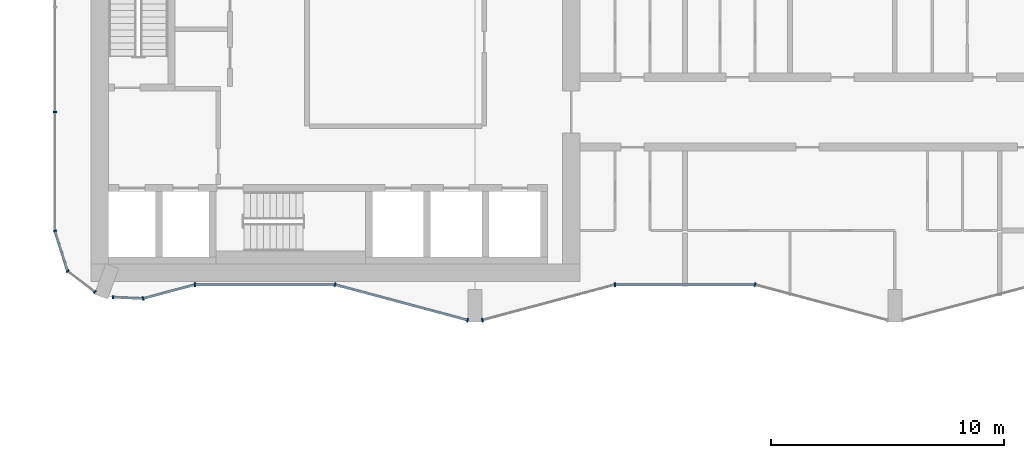
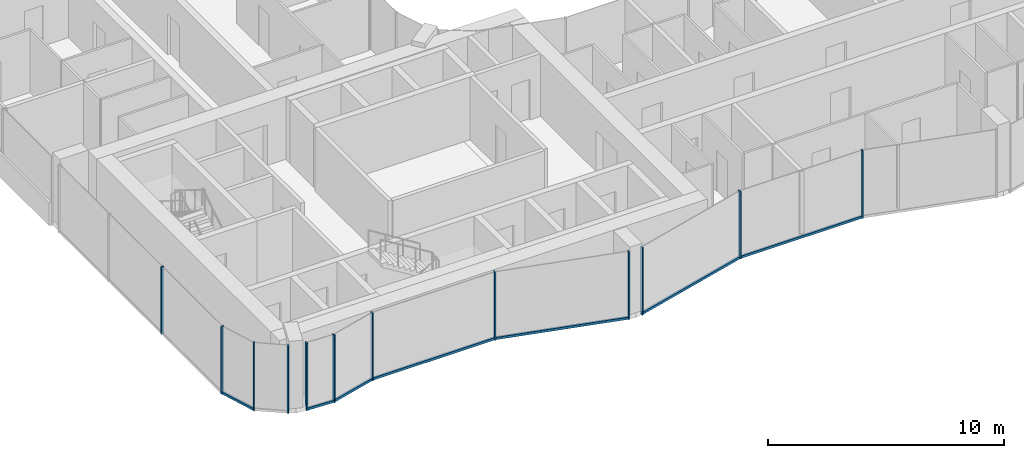
# One storey, part 2 of 23: 19 members, 10 elements without a shape of their own.
"""IFC4 building model written with IfcOpenShell, lengths in metres."""

from ifc_helpers import new_model, si_unit, direction, frame, origin, origin_2d, place, context, subcontext, project, spatial, rectangle, extrude, material, layer, layer_set, material_profile, profile_set, type_object, element, aggregate, save


model = new_model("IFC4")

# Units and contexts
model_context = context("Model", 3, precision=1e-05, world=origin(), true_north=direction((0.0, 1.0)))
body_context = subcontext(model_context, "Body", "Model", "MODEL_VIEW")
ifc_project = project(units=[si_unit("LENGTHUNIT", "METRE"), si_unit("AREAUNIT", "SQUARE_METRE"), si_unit("VOLUMEUNIT", "CUBIC_METRE"), si_unit("PLANEANGLEUNIT", "RADIAN"), si_unit("MASSUNIT", "GRAM", prefix="KILO")], contexts=[model_context])

# Site, building, storey
site_placement = place(None, origin())
site = spatial("IfcSite", under=ifc_project, at=site_placement, CompositionType="ELEMENT")
building_placement = place(site_placement, origin())
building = spatial("IfcBuilding", under=site, at=building_placement, Name="Plateau Cross Towers", CompositionType="ELEMENT")
storey_placement = place(building_placement, frame((0.0, 0.0, 40.800048828125)))
storey = spatial("IfcBuildingStorey", under=building, at=storey_placement, Name="L09", CompositionType="ELEMENT", Elevation=40.800048828125)

# Curtain wall, member
ifc_material_1 = material(Name="Dark low-iron glass", Category="glass")
ifc_layer_1 = layer(ifc_material_1, 0.239990234375)
ifc_layer_set_1 = layer_set([ifc_layer_1], Name="Dark low-iron glass")
curtain_wall_type_1 = type_object("IfcCurtainWallType", Name="Curtain wall flush unitised CW-B", PredefinedType="NOTDEFINED", material=ifc_layer_set_1)
curtain_wall_1_placement = place(storey_placement, origin())
curtain_wall_1 = element("IfcCurtainWall", 1, at=curtain_wall_1_placement, inside=storey, type_object=curtain_wall_type_1, Name="ENV/A/L09/A0_177", PredefinedType="NOTDEFINED")
ifc_material_2 = material(Name="Black anodised aluminium", Category="aluminium")
ifc_material_profile_1 = material_profile(ifc_material_2, rectangle(XDim=0.06005859375, YDim=0.139892578125, at=origin_2d()), Name="MULLION 60x140")
ifc_profile_set_1 = profile_set([ifc_material_profile_1], Name="Black anodised aluminium")
member_type_1 = type_object("IfcMemberType", Name="Mullion 60x140 flush unitised", PredefinedType="MULLION", material=ifc_profile_set_1)
member_1_placement = place(storey_placement, frame((0.0, 9.0, -0.25), z_axis=(0.0, 0.0, 1.0), x_axis=(0.0, -1.0, 0.0)))
member_1 = element("IfcMember", 2, at=member_1_placement, type_object=member_type_1, Name="CW-B mullion 3", PredefinedType="MULLION", context=body_context, shape_type="SweptSolid", body=[
    extrude(rectangle(XDim=0.06005859375, YDim=0.139892578125, at=origin_2d()), origin(), (0.0, 0.0, 1.0), 3.5),
])
aggregate(curtain_wall_1, [member_1])

curtain_wall_2_placement = place(storey_placement, origin())
curtain_wall_2 = element("IfcCurtainWall", 3, at=curtain_wall_2_placement, inside=storey, type_object=curtain_wall_type_1, Name="ENV/A/L09/A0_39", PredefinedType="NOTDEFINED")
member_2_placement = place(storey_placement, frame((0.0, 3.9091796875, -0.25), z_axis=(0.0, 0.0, 1.0), x_axis=(0.300686174994, -0.95372313811, 0.0)))
member_2 = element("IfcMember", 4, at=member_2_placement, type_object=member_type_1, Name="CW-B mullion 1", PredefinedType="MULLION", context=body_context, shape_type="SweptSolid", body=[
    extrude(rectangle(XDim=0.06005859375, YDim=0.139892578125, at=origin_2d()), origin(), (0.0, 0.0, 1.0), 3.5),
])

# Curtain wall, members
curtain_wall_3_placement = place(storey_placement, origin())
curtain_wall_3 = element("IfcCurtainWall", 5, at=curtain_wall_3_placement, inside=storey, type_object=curtain_wall_type_1, Name="ENV/A/L09/A5_22", PredefinedType="NOTDEFINED")
member_3_placement = place(storey_placement, frame((0.54248046875, 2.1884765625, -0.25), z_axis=(0.0, 0.0, 1.0), x_axis=(0.793315514529, -0.608810721331, 0.0)))
member_3 = element("IfcMember", 6, at=member_3_placement, type_object=member_type_1, Name="CW-B mullion 1", PredefinedType="MULLION", context=body_context, shape_type="SweptSolid", body=[
    extrude(rectangle(XDim=0.06005859375, YDim=0.139892578125, at=origin_2d()), origin(), (0.0, 0.0, 1.0), 3.5),
])
member_4_placement = place(storey_placement, frame((1.709716796875, 1.292724609375, -0.25), z_axis=(0.0, 0.0, 1.0), x_axis=(0.793315514529, -0.608810721331, 0.0)))
member_4 = element("IfcMember", 7, at=member_4_placement, type_object=member_type_1, Name="CW-B mullion 2", PredefinedType="MULLION", context=body_context, shape_type="SweptSolid", body=[
    extrude(rectangle(XDim=0.06005859375, YDim=0.139892578125, at=origin_2d()), origin(), (0.0, 0.0, 1.0), 3.5),
])
aggregate(curtain_wall_3, [member_3, member_4])

# Curtain wall, member
curtain_wall_4_placement = place(storey_placement, origin())
curtain_wall_4 = element("IfcCurtainWall", 8, at=curtain_wall_4_placement, inside=storey, type_object=curtain_wall_type_1, Name="ENV/A/L09/A25_11", PredefinedType="NOTDEFINED")
member_5_placement = place(storey_placement, frame((2.483642578125, 1.06787109375, -0.25), z_axis=(0.0, 0.0, 1.0), x_axis=(0.999043701491, -0.043722791671, 0.0)))
member_5 = element("IfcMember", 9, at=member_5_placement, type_object=member_type_1, Name="CW-B mullion 1", PredefinedType="MULLION", context=body_context, shape_type="SweptSolid", body=[
    extrude(rectangle(XDim=0.06005859375, YDim=0.139892578125, at=origin_2d()), origin(), (0.0, 0.0, 1.0), 3.5),
])

ifc_layer_2 = layer(ifc_material_1, 0.260009765625)
ifc_layer_set_2 = layer_set([ifc_layer_2], Name="Dark low-iron glass")
curtain_wall_type_2 = type_object("IfcCurtainWallType", Name="Curtain wall fluted unitised CW-A", PredefinedType="NOTDEFINED", material=ifc_layer_set_2)
curtain_wall_5_placement = place(storey_placement, origin())
curtain_wall_5 = element("IfcCurtainWall", 10, at=curtain_wall_5_placement, inside=storey, type_object=curtain_wall_type_2, Name="ENV/A/L09/A38_10", PredefinedType="NOTDEFINED")
ifc_material_profile_2 = material_profile(ifc_material_2, rectangle(XDim=0.06005859375, YDim=0.159912109375, at=origin_2d()), Name="MULLION 60x160")
ifc_profile_set_2 = profile_set([ifc_material_profile_2], Name="Black anodised aluminium")
member_type_2 = type_object("IfcMemberType", Name="Mullion 60x160 fluted unitised", PredefinedType="MULLION", material=ifc_profile_set_2)
member_6_placement = place(storey_placement, frame((3.776123046875, 1.01123046875, -0.25), z_axis=(0.0, 0.0, 1.0), x_axis=(0.965957962328, 0.258699081978, 0.0)))
member_6 = element("IfcMember", 11, at=member_6_placement, type_object=member_type_2, Name="CW-A mullion 1", PredefinedType="MULLION", context=body_context, shape_type="SweptSolid", body=[
    extrude(rectangle(XDim=0.06005859375, YDim=0.159912109375, at=origin_2d()), origin(), (0.0, 0.0, 1.0), 3.5),
])

curtain_wall_6_placement = place(storey_placement, origin())
curtain_wall_6 = element("IfcCurtainWall", 12, at=curtain_wall_6_placement, inside=storey, type_object=curtain_wall_type_2, Name="ENV/A/L09/A60_16", PredefinedType="NOTDEFINED")
member_7_placement = place(storey_placement, frame((6.0, 1.60693359375, -0.25), z_axis=(0.0, 0.0, 1.0), x_axis=(1.0, 0.0, 0.0)))
member_7 = element("IfcMember", 13, at=member_7_placement, type_object=member_type_2, Name="CW-A mullion 1", PredefinedType="MULLION", context=body_context, shape_type="SweptSolid", body=[
    extrude(rectangle(XDim=0.06005859375, YDim=0.159912109375, at=origin_2d()), origin(), (0.0, 0.0, 1.0), 3.5),
])

# Curtain wall, members
curtain_wall_7_placement = place(storey_placement, origin())
curtain_wall_7 = element("IfcCurtainWall", 14, at=curtain_wall_7_placement, inside=storey, type_object=curtain_wall_type_2, Name="ENV/A/L09/A120_16", PredefinedType="NOTDEFINED")
member_8_placement = place(storey_placement, frame((12.0, 1.60693359375, -0.25), z_axis=(0.0, 0.0, 1.0), x_axis=(0.965957983404, -0.258699003279, 0.0)))
member_8 = element("IfcMember", 15, at=member_8_placement, type_object=member_type_2, Name="CW-A mullion 1", PredefinedType="MULLION", context=body_context, shape_type="SweptSolid", body=[
    extrude(rectangle(XDim=0.06005859375, YDim=0.159912109375, at=origin_2d()), origin(), (0.0, 0.0, 1.0), 3.5),
])
member_9_placement = place(storey_placement, frame((17.68212890625, 0.085205078125, -0.25), z_axis=(0.0, 0.0, 1.0), x_axis=(0.965957983404, -0.258699003279, 0.0)))
member_9 = element("IfcMember", 16, at=member_9_placement, type_object=member_type_2, Name="CW-A mullion 2", PredefinedType="MULLION", context=body_context, shape_type="SweptSolid", body=[
    extrude(rectangle(XDim=0.06005859375, YDim=0.159912109375, at=origin_2d()), origin(), (0.0, 0.0, 1.0), 3.5),
])

# Curtain wall, member
curtain_wall_8_placement = place(storey_placement, origin())
curtain_wall_8 = element("IfcCurtainWall", 17, at=curtain_wall_8_placement, inside=storey, type_object=curtain_wall_type_2, Name="ENV/A/L09/A183_1", PredefinedType="NOTDEFINED")
member_10_placement = place(storey_placement, frame((18.31787109375, 0.085205078125, -0.25), z_axis=(0.0, 0.0, 1.0), x_axis=(0.965957983404, 0.258699003279, 0.0)))
member_10 = element("IfcMember", 18, at=member_10_placement, type_object=member_type_2, Name="CW-A mullion 1", PredefinedType="MULLION", context=body_context, shape_type="SweptSolid", body=[
    extrude(rectangle(XDim=0.06005859375, YDim=0.159912109375, at=origin_2d()), origin(), (0.0, 0.0, 1.0), 3.5),
])

curtain_wall_9_placement = place(storey_placement, origin())
curtain_wall_9 = element("IfcCurtainWall", 19, at=curtain_wall_9_placement, inside=storey, type_object=curtain_wall_type_2, Name="ENV/A/L09/A240_16", PredefinedType="NOTDEFINED")
member_11_placement = place(storey_placement, frame((24.0, 1.60693359375, -0.25), z_axis=(0.0, 0.0, 1.0), x_axis=(1.0, 0.0, 0.0)))
member_11 = element("IfcMember", 20, at=member_11_placement, type_object=member_type_2, Name="CW-A mullion 1", PredefinedType="MULLION", context=body_context, shape_type="SweptSolid", body=[
    extrude(rectangle(XDim=0.06005859375, YDim=0.159912109375, at=origin_2d()), origin(), (0.0, 0.0, 1.0), 3.5),
])

curtain_wall_10_placement = place(storey_placement, origin())
curtain_wall_10 = element("IfcCurtainWall", 21, at=curtain_wall_10_placement, inside=storey, type_object=curtain_wall_type_2, Name="ENV/A/L09/A300_16", PredefinedType="NOTDEFINED")
member_12_placement = place(storey_placement, frame((30.0, 1.60693359375, -0.25), z_axis=(0.0, 0.0, 1.0), x_axis=(0.965957983404, -0.258699003279, 0.0)))
member_12 = element("IfcMember", 22, at=member_12_placement, type_object=member_type_2, Name="CW-A mullion 1", PredefinedType="MULLION", context=body_context, shape_type="SweptSolid", body=[
    extrude(rectangle(XDim=0.06005859375, YDim=0.159912109375, at=origin_2d()), origin(), (0.0, 0.0, 1.0), 3.5),
])
aggregate(curtain_wall_10, [member_12])

# Member
ifc_material_profile_3 = material_profile(ifc_material_2, rectangle(XDim=0.10009765625, YDim=0.1201171875, at=origin_2d()), Name="TRANSOM 100x120")
ifc_profile_set_3 = profile_set([ifc_material_profile_3], Name="Black anodised aluminium")
member_type_3 = type_object("IfcMemberType", Name="Transom 100x120 flush unitised", PredefinedType="USERDEFINED", material=ifc_profile_set_3)
member_13_placement = place(storey_placement, frame((0.0, 3.9091796875, -0.18994140625), z_axis=(0.30067799945, -0.953725715626, 0.0), x_axis=(0.953725715626, 0.30067799945, 0.0)))
member_13 = element("IfcMember", 23, at=member_13_placement, type_object=member_type_3, Name="CW-B transom", ObjectType="TRANSOM", PredefinedType="USERDEFINED", context=body_context, shape_type="SweptSolid", body=[
    extrude(rectangle(XDim=0.10009765625, YDim=0.1201171875, at=origin_2d()), origin(), (0.0, 0.0, 1.0), 1.80419921875),
])

aggregate(curtain_wall_2, [member_2, member_13])

member_14_placement = place(storey_placement, frame((2.483642578125, 1.06787109375, -0.18994140625), z_axis=(0.999041144614, -0.043781175963, 0.0), x_axis=(0.043781175963, 0.999041144614, 0.0)))
member_14 = element("IfcMember", 24, at=member_14_placement, type_object=member_type_3, Name="CW-B transom", ObjectType="TRANSOM", PredefinedType="USERDEFINED", context=body_context, shape_type="SweptSolid", body=[
    extrude(rectangle(XDim=0.10009765625, YDim=0.1201171875, at=origin_2d()), origin(), (0.0, 0.0, 1.0), 1.293701171875),
])

aggregate(curtain_wall_4, [member_5, member_14])

ifc_material_profile_4 = material_profile(ifc_material_2, rectangle(XDim=0.10009765625, YDim=0.1201171875, at=origin_2d()), Name="TRANSOM 100x120")
ifc_profile_set_4 = profile_set([ifc_material_profile_4], Name="Black anodised aluminium")
member_type_4 = type_object("IfcMemberType", Name="Transom 100x120 fluted unitised", PredefinedType="USERDEFINED", material=ifc_profile_set_4)
member_15_placement = place(storey_placement, frame((3.776123046875, 1.01123046875, -0.18994140625), z_axis=(0.965945685136, 0.258744919501, 0.0), x_axis=(-0.258744919501, 0.965945685136, 0.0)))
member_15 = element("IfcMember", 25, at=member_15_placement, type_object=member_type_4, Name="CW-A transom", ObjectType="TRANSOM", PredefinedType="USERDEFINED", context=body_context, shape_type="SweptSolid", body=[
    extrude(rectangle(XDim=0.10009765625, YDim=0.1201171875, at=origin_2d()), origin(), (0.0, 0.0, 1.0), 2.30224609375),
])

aggregate(curtain_wall_5, [member_6, member_15])

member_16_placement = place(storey_placement, frame((6.0, 1.60693359375, -0.18994140625), z_axis=(1.0, 0.0, 0.0), x_axis=(0.0, 1.0, 0.0)))
member_16 = element("IfcMember", 26, at=member_16_placement, type_object=member_type_4, Name="CW-A transom", ObjectType="TRANSOM", PredefinedType="USERDEFINED", context=body_context, shape_type="SweptSolid", body=[
    extrude(rectangle(XDim=0.10009765625, YDim=0.1201171875, at=origin_2d()), origin(), (0.0, 0.0, 1.0), 6.0),
])

aggregate(curtain_wall_6, [member_7, member_16])

member_17_placement = place(storey_placement, frame((12.0, 1.60693359375, -0.18994140625), z_axis=(0.965959534794, -0.258693210465, 0.0), x_axis=(0.258693210465, 0.965959534794, 0.0)))
member_17 = element("IfcMember", 27, at=member_17_placement, type_object=member_type_4, Name="CW-A transom", ObjectType="TRANSOM", PredefinedType="USERDEFINED", context=body_context, shape_type="SweptSolid", body=[
    extrude(rectangle(XDim=0.10009765625, YDim=0.1201171875, at=origin_2d()), origin(), (0.0, 0.0, 1.0), 5.88232421875),
])

aggregate(curtain_wall_7, [member_8, member_9, member_17])

member_18_placement = place(storey_placement, frame((18.31787109375, 0.085205078125, -0.18994140625), z_axis=(0.965959534794, 0.258693210465, 0.0), x_axis=(-0.258693210465, 0.965959534794, 0.0)))
member_18 = element("IfcMember", 28, at=member_18_placement, type_object=member_type_4, Name="CW-A transom", ObjectType="TRANSOM", PredefinedType="USERDEFINED", context=body_context, shape_type="SweptSolid", body=[
    extrude(rectangle(XDim=0.10009765625, YDim=0.1201171875, at=origin_2d()), origin(), (0.0, 0.0, 1.0), 5.88232421875),
])

aggregate(curtain_wall_8, [member_10, member_18])

member_19_placement = place(storey_placement, frame((24.0, 1.60693359375, -0.18994140625), z_axis=(1.0, 0.0, 0.0), x_axis=(0.0, 1.0, 0.0)))
member_19 = element("IfcMember", 29, at=member_19_placement, type_object=member_type_4, Name="CW-A transom", ObjectType="TRANSOM", PredefinedType="USERDEFINED", context=body_context, shape_type="SweptSolid", body=[
    extrude(rectangle(XDim=0.10009765625, YDim=0.1201171875, at=origin_2d()), origin(), (0.0, 0.0, 1.0), 6.0),
])

aggregate(curtain_wall_9, [member_11, member_19])

save(model, "model.ifc")
